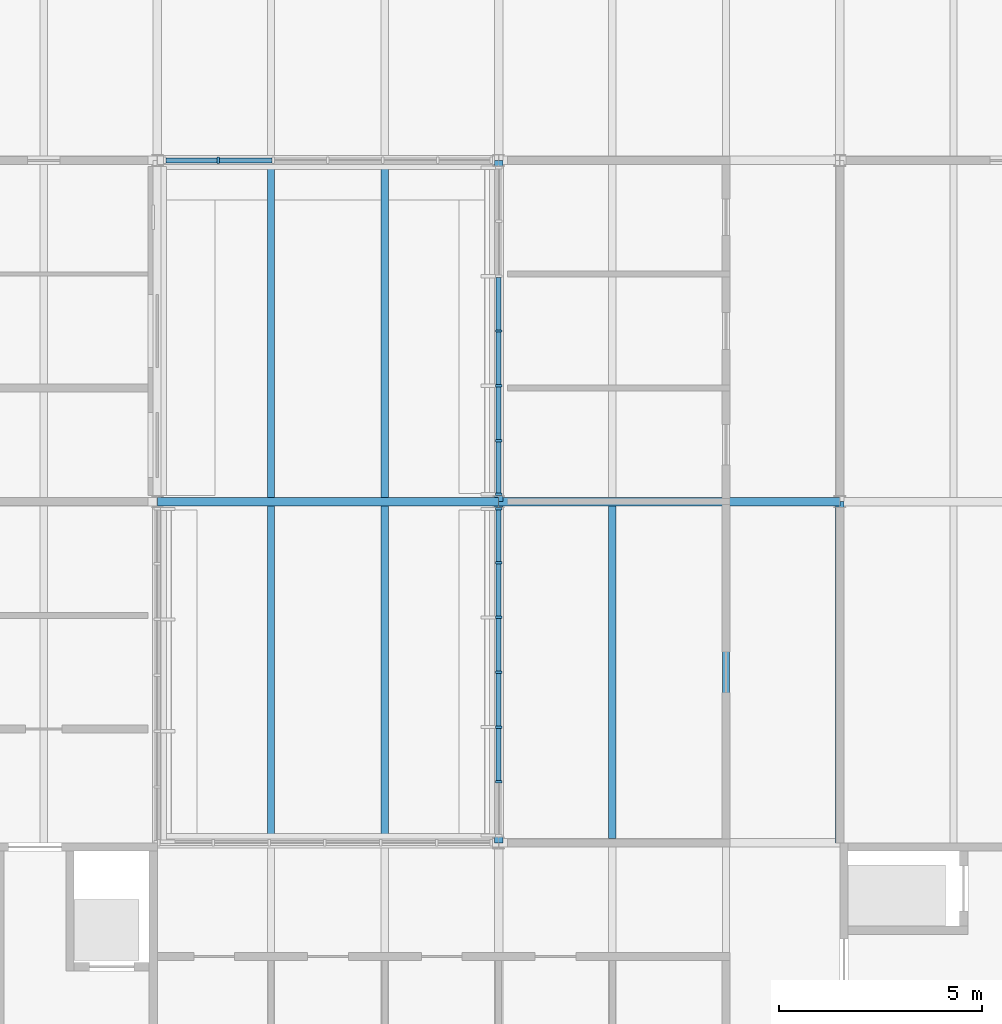
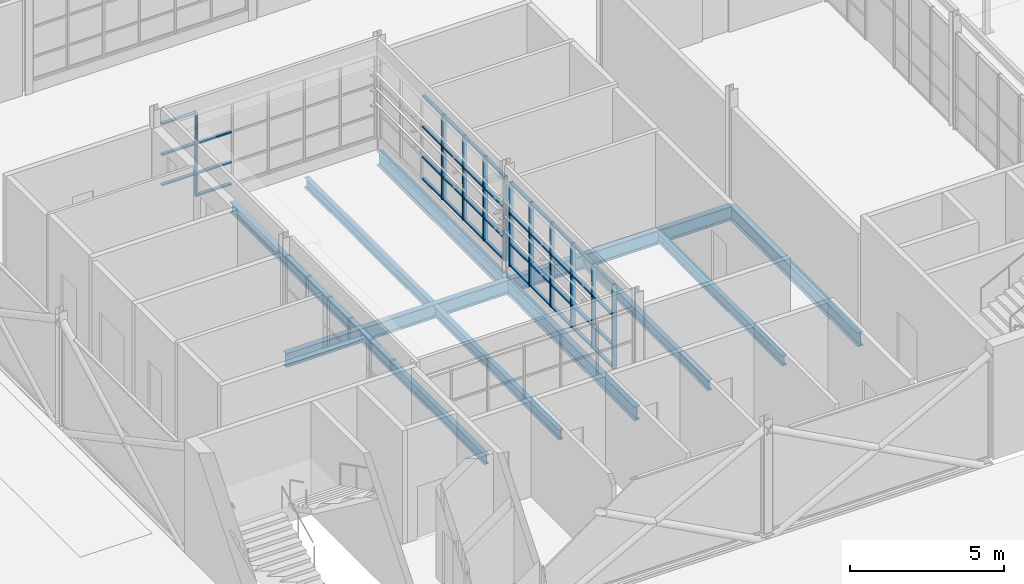
# One storey, part 48 of 116: 53 members, 11 beams, 3 elements without a shape of their own.
"""IFC4 building model written with IfcOpenShell, lengths in metres."""

from ifc_helpers import new_model, si_unit, direction, frame, origin, origin_2d, place, context, subcontext, project, spatial, rectangle, i_section, extrude, material, layer, layer_set, material_profile, profile_set, type_object, element, aggregate, save


model = new_model("IFC4")

# Units and contexts
model_context = context("Model", 3, precision=1e-05, world=origin(), true_north=direction((0.0, 1.0)))
body_context = subcontext(model_context, "Body", "Model", "MODEL_VIEW")
ifc_project = project(units=[si_unit("LENGTHUNIT", "METRE"), si_unit("AREAUNIT", "SQUARE_METRE"), si_unit("VOLUMEUNIT", "CUBIC_METRE"), si_unit("PLANEANGLEUNIT", "RADIAN"), si_unit("MASSUNIT", "GRAM", prefix="KILO")], contexts=[model_context])

# Site, building, storey
site_placement = place(None, origin())
site = spatial("IfcSite", under=ifc_project, at=site_placement, CompositionType="ELEMENT")
building_placement = place(site_placement, origin())
building = spatial("IfcBuilding", under=site, at=building_placement, Name="Ardhachandra Cancer Care Centre", CompositionType="ELEMENT")
storey_placement = place(building_placement, origin())
storey = spatial("IfcBuildingStorey", under=building, at=storey_placement, Name="L00", CompositionType="ELEMENT", Elevation=0.0)

# Beams
ifc_material_1 = material(Name="Steel E350 (IS 2062)", Category="steel")
ifc_material_profile_1 = material_profile(ifc_material_1, i_section(OverallWidth=0.179931640625, OverallDepth=0.39990234375, WebThickness=0.008544921875, FlangeThickness=0.013427734375, FilletRadius=0.02099609375, at=origin_2d()), Name="NPB 400x180x66.30")
ifc_profile_set_1 = profile_set([ifc_material_profile_1], Name="Steel E350 (IS 2062)")
beam_type_1 = type_object("IfcBeamType", Name="Beam NPB 400x180x66.30", PredefinedType="BEAM", material=ifc_profile_set_1)
beam_1_placement = place(storey_placement, frame((122.800048828125, 37.905029296875, -0.35009765625), z_axis=(0.0, 1.0, 0.0), x_axis=(-1.0, 0.0, 0.0)))
element("IfcBeam", 1, at=beam_1_placement, inside=storey, type_object=beam_type_1, Name="Secondary D14-E14@2800", PredefinedType="BEAM", context=body_context, shape_type="SweptSolid", body=[
    extrude(i_section(OverallWidth=0.179931640625, OverallDepth=0.39990234375, WebThickness=0.008544921875, FlangeThickness=0.013427734375, FilletRadius=0.02099609375, at=origin_2d()), origin(), (0.0, 0.0, 1.0), 8.18994140625),
])
beam_2_placement = place(storey_placement, frame((122.800048828125, 46.304931640625, -0.35009765625), z_axis=(0.0, 1.0, 0.0), x_axis=(-1.0, 0.0, 0.0)))
element("IfcBeam", 2, at=beam_2_placement, inside=storey, type_object=beam_type_1, Name="Secondary E14-F14@2800", PredefinedType="BEAM", context=body_context, shape_type="SweptSolid", body=[
    extrude(i_section(OverallWidth=0.179931640625, OverallDepth=0.39990234375, WebThickness=0.008544921875, FlangeThickness=0.013427734375, FilletRadius=0.02099609375, at=origin_2d()), origin(), (0.0, 0.0, 1.0), 8.190185546875),
])
beam_3_placement = place(storey_placement, frame((125.60009765625, 37.905029296875, -0.35009765625), z_axis=(0.0, 1.0, 0.0), x_axis=(-1.0, 0.0, 0.0)))
element("IfcBeam", 3, at=beam_3_placement, inside=storey, type_object=beam_type_1, Name="Secondary D14-E14@5600", PredefinedType="BEAM", context=body_context, shape_type="SweptSolid", body=[
    extrude(i_section(OverallWidth=0.179931640625, OverallDepth=0.39990234375, WebThickness=0.008544921875, FlangeThickness=0.013427734375, FilletRadius=0.02099609375, at=origin_2d()), origin(), (0.0, 0.0, 1.0), 8.18994140625),
])
beam_4_placement = place(storey_placement, frame((125.60009765625, 46.304931640625, -0.35009765625), z_axis=(0.0, 1.0, 0.0), x_axis=(-1.0, 0.0, 0.0)))
element("IfcBeam", 4, at=beam_4_placement, inside=storey, type_object=beam_type_1, Name="Secondary E14-F14@5600", PredefinedType="BEAM", context=body_context, shape_type="SweptSolid", body=[
    extrude(i_section(OverallWidth=0.179931640625, OverallDepth=0.39990234375, WebThickness=0.008544921875, FlangeThickness=0.013427734375, FilletRadius=0.02099609375, at=origin_2d()), origin(), (0.0, 0.0, 1.0), 8.190185546875),
])
for number, where, z_axis, x_axis, name in (
    (5, (131.199951171875, 37.905029296875, -0.35009765625), (0.0, 1.0, 0.0), (-1.0, 0.0, 0.0), "Secondary D15-E15@2800"),
    (6, (134.0, 37.905029296875, -0.35009765625), (0.0, 1.0, 0.0), (-1.0, 0.0, 0.0), "Secondary D15-E15@5600"),
):
    element("IfcBeam", number, at=place(storey_placement, frame(where, z_axis=z_axis, x_axis=x_axis)), inside=storey, type_object=beam_type_1, Name=name, PredefinedType="BEAM", context=body_context, shape_type="SweptSolid", body=[
        extrude(i_section(OverallWidth=0.179931640625, OverallDepth=0.39990234375, WebThickness=0.008544921875, FlangeThickness=0.013427734375, FilletRadius=0.02099609375, at=origin_2d()), origin(), (0.0, 0.0, 1.0), 8.18994140625),
    ])
ifc_material_2 = material(Name="Steel E350 (IS 2062)", Category="steel")
ifc_material_profile_2 = material_profile(ifc_material_2, i_section(OverallWidth=0.2099609375, OverallDepth=0.550048828125, WebThickness=0.010986328125, FlangeThickness=0.01708984375, FilletRadius=0.02392578125, at=origin_2d()), Name="NPB 550x210x105.52")
ifc_profile_set_2 = profile_set([ifc_material_profile_2], Name="Steel E350 (IS 2062)")
beam_type_2 = type_object("IfcBeamType", Name="Beam NPB 550x210x105.52", PredefinedType="BEAM", material=ifc_profile_set_2)
beam_5_placement = place(storey_placement, frame((120.0, 46.199951171875, -0.425048828125), z_axis=(1.0, 0.0, 0.0), x_axis=(0.0, 1.0, 0.0)))
element("IfcBeam", 7, at=beam_5_placement, inside=storey, type_object=beam_type_2, Name="Girder E14-E15", PredefinedType="BEAM", context=body_context, shape_type="SweptSolid", body=[
    extrude(i_section(OverallWidth=0.2099609375, OverallDepth=0.550048828125, WebThickness=0.010986328125, FlangeThickness=0.01708984375, FilletRadius=0.02392578125, at=origin_2d()), origin(), (0.0, 0.0, 1.0), 8.39990234375),
])
beam_6_placement = place(storey_placement, frame((128.39990234375, 46.199951171875, -0.425048828125), z_axis=(1.0, 0.0, 0.0), x_axis=(0.0, 1.0, 0.0)))
element("IfcBeam", 8, at=beam_6_placement, inside=storey, type_object=beam_type_2, Name="Girder E15-E16", PredefinedType="BEAM", context=body_context, shape_type="SweptSolid", body=[
    extrude(i_section(OverallWidth=0.2099609375, OverallDepth=0.550048828125, WebThickness=0.010986328125, FlangeThickness=0.01708984375, FilletRadius=0.02392578125, at=origin_2d()), origin(), (0.0, 0.0, 1.0), 8.400146484375),
])
beam_7_placement = place(storey_placement, frame((128.39990234375, 37.800048828125, -0.425048828125), z_axis=(0.0, 1.0, 0.0), x_axis=(-1.0, 0.0, 0.0)))
element("IfcBeam", 9, at=beam_7_placement, inside=storey, type_object=beam_type_2, Name="Girder D15-E15", PredefinedType="BEAM", context=body_context, shape_type="SweptSolid", body=[
    extrude(i_section(OverallWidth=0.2099609375, OverallDepth=0.550048828125, WebThickness=0.010986328125, FlangeThickness=0.01708984375, FilletRadius=0.02392578125, at=origin_2d()), origin(), (0.0, 0.0, 1.0), 8.39990234375),
])
beam_8_placement = place(storey_placement, frame((128.39990234375, 46.199951171875, -0.425048828125), z_axis=(0.0, 1.0, 0.0), x_axis=(-1.0, 0.0, 0.0)))
element("IfcBeam", 10, at=beam_8_placement, inside=storey, type_object=beam_type_2, Name="Girder E15-F15", PredefinedType="BEAM", context=body_context, shape_type="SweptSolid", body=[
    extrude(i_section(OverallWidth=0.2099609375, OverallDepth=0.550048828125, WebThickness=0.010986328125, FlangeThickness=0.01708984375, FilletRadius=0.02392578125, at=origin_2d()), origin(), (0.0, 0.0, 1.0), 8.400146484375),
])
beam_9_placement = place(storey_placement, frame((136.800048828125, 37.800048828125, -0.425048828125), z_axis=(0.0, 1.0, 0.0), x_axis=(-1.0, 0.0, 0.0)))
element("IfcBeam", 11, at=beam_9_placement, inside=storey, type_object=beam_type_2, Name="Girder D16-E16", PredefinedType="BEAM", context=body_context, shape_type="SweptSolid", body=[
    extrude(i_section(OverallWidth=0.2099609375, OverallDepth=0.550048828125, WebThickness=0.010986328125, FlangeThickness=0.01708984375, FilletRadius=0.02392578125, at=origin_2d()), origin(), (0.0, 0.0, 1.0), 8.39990234375),
])

# Curtain wall, member
ifc_material_3 = material(Name="Aluminium extrusion", Category="aluminium")
ifc_layer = layer(ifc_material_3, 0.14990234375)
ifc_layer_set = layer_set([ifc_layer], Name="Aluminium extrusion")
curtain_wall_type = type_object("IfcCurtainWallType", Name="Curtain wall run", PredefinedType="NOTDEFINED", material=ifc_layer_set)
curtain_wall_1_placement = place(storey_placement, origin())
curtain_wall_1 = element("IfcCurtainWall", 12, at=curtain_wall_1_placement, inside=storey, type_object=curtain_wall_type, Name="Curtain wall L00 s/0120000_0054600", PredefinedType="NOTDEFINED")
ifc_material_4 = material(Name="Aluminium extrusion", Category="aluminium")
ifc_material_profile_3 = material_profile(ifc_material_4, rectangle(XDim=0.159912109375, YDim=0.06005859375, at=origin_2d()), Name="Curtain wall mullion 60 x 160")
ifc_profile_set_3 = profile_set([ifc_material_profile_3], Name="Aluminium extrusion")
member_type_1 = type_object("IfcMemberType", Name="Curtain wall mullion 60 x 160", PredefinedType="MULLION", material=ifc_profile_set_3)
member_1_placement = place(storey_placement, frame((121.5, 54.60009765625, 0.449951171875), z_axis=(0.0, 0.0, 1.0), x_axis=(0.0, 1.0, 0.0)))
member_1 = element("IfcMember", 13, at=member_1_placement, type_object=member_type_1, Name="CW mullion 2", PredefinedType="MULLION", context=body_context, shape_type="SweptSolid", body=[
    extrude(rectangle(XDim=0.159912109375, YDim=0.06005859375, at=origin_2d()), origin(), (0.0, 0.0, 1.0), 3.35009765625),
])

# Curtain wall, members
curtain_wall_2_placement = place(storey_placement, origin())
curtain_wall_2 = element("IfcCurtainWall", 14, at=curtain_wall_2_placement, inside=storey, type_object=curtain_wall_type, Name="Curtain wall L00 w/0128400_0037800", PredefinedType="NOTDEFINED")
member_2_placement = place(storey_placement, frame((128.39990234375, 39.300048828125, 0.449951171875), z_axis=(0.0, 0.0, 1.0), x_axis=(-1.0, 0.0, 0.0)))
member_2 = element("IfcMember", 15, at=member_2_placement, type_object=member_type_1, Name="CW mullion 2", PredefinedType="MULLION", context=body_context, shape_type="SweptSolid", body=[
    extrude(rectangle(XDim=0.159912109375, YDim=0.06005859375, at=origin_2d()), origin(), (0.0, 0.0, 1.0), 3.35009765625),
])
member_3_placement = place(storey_placement, frame((128.39990234375, 40.64990234375, 0.449951171875), z_axis=(0.0, 0.0, 1.0), x_axis=(-1.0, 0.0, 0.0)))
member_3 = element("IfcMember", 16, at=member_3_placement, type_object=member_type_1, Name="CW mullion 3", PredefinedType="MULLION", context=body_context, shape_type="SweptSolid", body=[
    extrude(rectangle(XDim=0.159912109375, YDim=0.06005859375, at=origin_2d()), origin(), (0.0, 0.0, 1.0), 3.35009765625),
])
member_4_placement = place(storey_placement, frame((128.39990234375, 42.0, 0.449951171875), z_axis=(0.0, 0.0, 1.0), x_axis=(-1.0, 0.0, 0.0)))
member_4 = element("IfcMember", 17, at=member_4_placement, type_object=member_type_1, Name="CW mullion 4", PredefinedType="MULLION", context=body_context, shape_type="SweptSolid", body=[
    extrude(rectangle(XDim=0.159912109375, YDim=0.06005859375, at=origin_2d()), origin(), (0.0, 0.0, 1.0), 3.35009765625),
])
member_5_placement = place(storey_placement, frame((128.39990234375, 43.35009765625, 0.449951171875), z_axis=(0.0, 0.0, 1.0), x_axis=(-1.0, 0.0, 0.0)))
member_5 = element("IfcMember", 18, at=member_5_placement, type_object=member_type_1, Name="CW mullion 5", PredefinedType="MULLION", context=body_context, shape_type="SweptSolid", body=[
    extrude(rectangle(XDim=0.159912109375, YDim=0.06005859375, at=origin_2d()), origin(), (0.0, 0.0, 1.0), 3.35009765625),
])
member_6_placement = place(storey_placement, frame((128.39990234375, 44.699951171875, 0.449951171875), z_axis=(0.0, 0.0, 1.0), x_axis=(-1.0, 0.0, 0.0)))
member_6 = element("IfcMember", 19, at=member_6_placement, type_object=member_type_1, Name="CW mullion 6", PredefinedType="MULLION", context=body_context, shape_type="SweptSolid", body=[
    extrude(rectangle(XDim=0.159912109375, YDim=0.06005859375, at=origin_2d()), origin(), (0.0, 0.0, 1.0), 3.35009765625),
])
member_7_placement = place(storey_placement, frame((128.39990234375, 46.02001953125, 0.449951171875), z_axis=(0.0, 0.0, 1.0), x_axis=(-1.0, 0.0, 0.0)))
member_7 = element("IfcMember", 20, at=member_7_placement, type_object=member_type_1, Name="CW mullion 7", PredefinedType="MULLION", context=body_context, shape_type="SweptSolid", body=[
    extrude(rectangle(XDim=0.159912109375, YDim=0.06005859375, at=origin_2d()), origin(), (0.0, 0.0, 1.0), 3.35009765625),
])

curtain_wall_3_placement = place(storey_placement, origin())
curtain_wall_3 = element("IfcCurtainWall", 21, at=curtain_wall_3_placement, inside=storey, type_object=curtain_wall_type, Name="Curtain wall L00 w/0128400_0046200", PredefinedType="NOTDEFINED")
member_8_placement = place(storey_placement, frame((128.39990234375, 46.3798828125, 0.449951171875), z_axis=(0.0, 0.0, 1.0), x_axis=(-1.0, 0.0, 0.0)))
member_8 = element("IfcMember", 22, at=member_8_placement, type_object=member_type_1, Name="CW mullion 1", PredefinedType="MULLION", context=body_context, shape_type="SweptSolid", body=[
    extrude(rectangle(XDim=0.159912109375, YDim=0.06005859375, at=origin_2d()), origin(), (0.0, 0.0, 1.0), 3.35009765625),
])
member_9_placement = place(storey_placement, frame((128.39990234375, 47.699951171875, 0.449951171875), z_axis=(0.0, 0.0, 1.0), x_axis=(-1.0, 0.0, 0.0)))
member_9 = element("IfcMember", 23, at=member_9_placement, type_object=member_type_1, Name="CW mullion 2", PredefinedType="MULLION", context=body_context, shape_type="SweptSolid", body=[
    extrude(rectangle(XDim=0.159912109375, YDim=0.06005859375, at=origin_2d()), origin(), (0.0, 0.0, 1.0), 3.35009765625),
])
member_10_placement = place(storey_placement, frame((128.39990234375, 49.050048828125, 0.449951171875), z_axis=(0.0, 0.0, 1.0), x_axis=(-1.0, 0.0, 0.0)))
member_10 = element("IfcMember", 24, at=member_10_placement, type_object=member_type_1, Name="CW mullion 3", PredefinedType="MULLION", context=body_context, shape_type="SweptSolid", body=[
    extrude(rectangle(XDim=0.159912109375, YDim=0.06005859375, at=origin_2d()), origin(), (0.0, 0.0, 1.0), 3.35009765625),
])
member_11_placement = place(storey_placement, frame((128.39990234375, 50.39990234375, 0.449951171875), z_axis=(0.0, 0.0, 1.0), x_axis=(-1.0, 0.0, 0.0)))
member_11 = element("IfcMember", 25, at=member_11_placement, type_object=member_type_1, Name="CW mullion 4", PredefinedType="MULLION", context=body_context, shape_type="SweptSolid", body=[
    extrude(rectangle(XDim=0.159912109375, YDim=0.06005859375, at=origin_2d()), origin(), (0.0, 0.0, 1.0), 3.35009765625),
])

# Member
ifc_material_5 = material(Name="Aluminium extrusion", Category="aluminium")
ifc_material_profile_4 = material_profile(ifc_material_5, rectangle(XDim=0.1201171875, YDim=0.06005859375, at=origin_2d()), Name="Curtain wall transom 60 x 120")
ifc_profile_set_4 = profile_set([ifc_material_profile_4], Name="Aluminium extrusion")
member_type_2 = type_object("IfcMemberType", Name="Curtain wall transom 60 x 120", PredefinedType="USERDEFINED", material=ifc_profile_set_4)
member_12_placement = place(storey_placement, frame((120.2099609375, 54.60009765625, 1.35009765625), z_axis=(1.0, 0.0, 0.0), x_axis=(0.0, 1.0, 0.0)))
member_12 = element("IfcMember", 26, at=member_12_placement, type_object=member_type_2, Name="CW transom 1.2", ObjectType="TRANSOM", PredefinedType="USERDEFINED", context=body_context, shape_type="SweptSolid", body=[
    extrude(rectangle(XDim=0.1201171875, YDim=0.06005859375, at=origin_2d()), origin(), (0.0, 0.0, 1.0), 1.260009765625),
])

member_13_placement = place(storey_placement, frame((120.2099609375, 54.60009765625, 2.550048828125), z_axis=(1.0, 0.0, 0.0), x_axis=(0.0, 1.0, 0.0)))
member_13 = element("IfcMember", 27, at=member_13_placement, type_object=member_type_2, Name="CW transom 1.3", ObjectType="TRANSOM", PredefinedType="USERDEFINED", context=body_context, shape_type="SweptSolid", body=[
    extrude(rectangle(XDim=0.1201171875, YDim=0.06005859375, at=origin_2d()), origin(), (0.0, 0.0, 1.0), 1.260009765625),
])

member_14_placement = place(storey_placement, frame((120.2099609375, 54.60009765625, 3.77001953125), z_axis=(1.0, 0.0, 0.0), x_axis=(0.0, 1.0, 0.0)))
member_14 = element("IfcMember", 28, at=member_14_placement, type_object=member_type_2, Name="CW transom 1.4", ObjectType="TRANSOM", PredefinedType="USERDEFINED", context=body_context, shape_type="SweptSolid", body=[
    extrude(rectangle(XDim=0.1201171875, YDim=0.06005859375, at=origin_2d()), origin(), (0.0, 0.0, 1.0), 1.260009765625),
])

member_15_placement = place(storey_placement, frame((121.530029296875, 54.60009765625, 0.47998046875), z_axis=(1.0, 0.0, 0.0), x_axis=(0.0, 1.0, 0.0)))
member_15 = element("IfcMember", 29, at=member_15_placement, type_object=member_type_2, Name="CW transom 2.1", ObjectType="TRANSOM", PredefinedType="USERDEFINED", context=body_context, shape_type="SweptSolid", body=[
    extrude(rectangle(XDim=0.1201171875, YDim=0.06005859375, at=origin_2d()), origin(), (0.0, 0.0, 1.0), 1.2900390625),
])

member_16_placement = place(storey_placement, frame((121.530029296875, 54.60009765625, 1.35009765625), z_axis=(1.0, 0.0, 0.0), x_axis=(0.0, 1.0, 0.0)))
member_16 = element("IfcMember", 30, at=member_16_placement, type_object=member_type_2, Name="CW transom 2.2", ObjectType="TRANSOM", PredefinedType="USERDEFINED", context=body_context, shape_type="SweptSolid", body=[
    extrude(rectangle(XDim=0.1201171875, YDim=0.06005859375, at=origin_2d()), origin(), (0.0, 0.0, 1.0), 1.2900390625),
])

member_17_placement = place(storey_placement, frame((121.530029296875, 54.60009765625, 2.550048828125), z_axis=(1.0, 0.0, 0.0), x_axis=(0.0, 1.0, 0.0)))
member_17 = element("IfcMember", 31, at=member_17_placement, type_object=member_type_2, Name="CW transom 2.3", ObjectType="TRANSOM", PredefinedType="USERDEFINED", context=body_context, shape_type="SweptSolid", body=[
    extrude(rectangle(XDim=0.1201171875, YDim=0.06005859375, at=origin_2d()), origin(), (0.0, 0.0, 1.0), 1.2900390625),
])

aggregate(curtain_wall_1, [member_1, member_12, member_13, member_14, member_15, member_16, member_17])

member_18_placement = place(storey_placement, frame((128.39990234375, 39.330078125, 0.47998046875), z_axis=(0.0, 1.0, 0.0), x_axis=(-1.0, 0.0, 0.0)))
member_18 = element("IfcMember", 32, at=member_18_placement, type_object=member_type_2, Name="CW transom 2.1", ObjectType="TRANSOM", PredefinedType="USERDEFINED", context=body_context, shape_type="SweptSolid", body=[
    extrude(rectangle(XDim=0.1201171875, YDim=0.06005859375, at=origin_2d()), origin(), (0.0, 0.0, 1.0), 1.2900390625),
])

member_19_placement = place(storey_placement, frame((128.39990234375, 39.330078125, 1.35009765625), z_axis=(0.0, 1.0, 0.0), x_axis=(-1.0, 0.0, 0.0)))
member_19 = element("IfcMember", 33, at=member_19_placement, type_object=member_type_2, Name="CW transom 2.2", ObjectType="TRANSOM", PredefinedType="USERDEFINED", context=body_context, shape_type="SweptSolid", body=[
    extrude(rectangle(XDim=0.1201171875, YDim=0.06005859375, at=origin_2d()), origin(), (0.0, 0.0, 1.0), 1.2900390625),
])

member_20_placement = place(storey_placement, frame((128.39990234375, 39.330078125, 2.550048828125), z_axis=(0.0, 1.0, 0.0), x_axis=(-1.0, 0.0, 0.0)))
member_20 = element("IfcMember", 34, at=member_20_placement, type_object=member_type_2, Name="CW transom 2.3", ObjectType="TRANSOM", PredefinedType="USERDEFINED", context=body_context, shape_type="SweptSolid", body=[
    extrude(rectangle(XDim=0.1201171875, YDim=0.06005859375, at=origin_2d()), origin(), (0.0, 0.0, 1.0), 1.2900390625),
])

member_21_placement = place(storey_placement, frame((128.39990234375, 39.330078125, 3.77001953125), z_axis=(0.0, 1.0, 0.0), x_axis=(-1.0, 0.0, 0.0)))
member_21 = element("IfcMember", 35, at=member_21_placement, type_object=member_type_2, Name="CW transom 2.4", ObjectType="TRANSOM", PredefinedType="USERDEFINED", context=body_context, shape_type="SweptSolid", body=[
    extrude(rectangle(XDim=0.1201171875, YDim=0.06005859375, at=origin_2d()), origin(), (0.0, 0.0, 1.0), 1.2900390625),
])

member_22_placement = place(storey_placement, frame((128.39990234375, 40.679931640625, 0.47998046875), z_axis=(0.0, 1.0, 0.0), x_axis=(-1.0, 0.0, 0.0)))
member_22 = element("IfcMember", 36, at=member_22_placement, type_object=member_type_2, Name="CW transom 3.1", ObjectType="TRANSOM", PredefinedType="USERDEFINED", context=body_context, shape_type="SweptSolid", body=[
    extrude(rectangle(XDim=0.1201171875, YDim=0.06005859375, at=origin_2d()), origin(), (0.0, 0.0, 1.0), 1.2900390625),
])

member_23_placement = place(storey_placement, frame((128.39990234375, 40.679931640625, 1.35009765625), z_axis=(0.0, 1.0, 0.0), x_axis=(-1.0, 0.0, 0.0)))
member_23 = element("IfcMember", 37, at=member_23_placement, type_object=member_type_2, Name="CW transom 3.2", ObjectType="TRANSOM", PredefinedType="USERDEFINED", context=body_context, shape_type="SweptSolid", body=[
    extrude(rectangle(XDim=0.1201171875, YDim=0.06005859375, at=origin_2d()), origin(), (0.0, 0.0, 1.0), 1.2900390625),
])

member_24_placement = place(storey_placement, frame((128.39990234375, 40.679931640625, 2.550048828125), z_axis=(0.0, 1.0, 0.0), x_axis=(-1.0, 0.0, 0.0)))
member_24 = element("IfcMember", 38, at=member_24_placement, type_object=member_type_2, Name="CW transom 3.3", ObjectType="TRANSOM", PredefinedType="USERDEFINED", context=body_context, shape_type="SweptSolid", body=[
    extrude(rectangle(XDim=0.1201171875, YDim=0.06005859375, at=origin_2d()), origin(), (0.0, 0.0, 1.0), 1.2900390625),
])

member_25_placement = place(storey_placement, frame((128.39990234375, 40.679931640625, 3.77001953125), z_axis=(0.0, 1.0, 0.0), x_axis=(-1.0, 0.0, 0.0)))
member_25 = element("IfcMember", 39, at=member_25_placement, type_object=member_type_2, Name="CW transom 3.4", ObjectType="TRANSOM", PredefinedType="USERDEFINED", context=body_context, shape_type="SweptSolid", body=[
    extrude(rectangle(XDim=0.1201171875, YDim=0.06005859375, at=origin_2d()), origin(), (0.0, 0.0, 1.0), 1.2900390625),
])

member_26_placement = place(storey_placement, frame((128.39990234375, 42.030029296875, 0.47998046875), z_axis=(0.0, 1.0, 0.0), x_axis=(-1.0, 0.0, 0.0)))
member_26 = element("IfcMember", 40, at=member_26_placement, type_object=member_type_2, Name="CW transom 4.1", ObjectType="TRANSOM", PredefinedType="USERDEFINED", context=body_context, shape_type="SweptSolid", body=[
    extrude(rectangle(XDim=0.1201171875, YDim=0.06005859375, at=origin_2d()), origin(), (0.0, 0.0, 1.0), 1.2900390625),
])

member_27_placement = place(storey_placement, frame((128.39990234375, 42.030029296875, 1.35009765625), z_axis=(0.0, 1.0, 0.0), x_axis=(-1.0, 0.0, 0.0)))
member_27 = element("IfcMember", 41, at=member_27_placement, type_object=member_type_2, Name="CW transom 4.2", ObjectType="TRANSOM", PredefinedType="USERDEFINED", context=body_context, shape_type="SweptSolid", body=[
    extrude(rectangle(XDim=0.1201171875, YDim=0.06005859375, at=origin_2d()), origin(), (0.0, 0.0, 1.0), 1.2900390625),
])

member_28_placement = place(storey_placement, frame((128.39990234375, 42.030029296875, 2.550048828125), z_axis=(0.0, 1.0, 0.0), x_axis=(-1.0, 0.0, 0.0)))
member_28 = element("IfcMember", 42, at=member_28_placement, type_object=member_type_2, Name="CW transom 4.3", ObjectType="TRANSOM", PredefinedType="USERDEFINED", context=body_context, shape_type="SweptSolid", body=[
    extrude(rectangle(XDim=0.1201171875, YDim=0.06005859375, at=origin_2d()), origin(), (0.0, 0.0, 1.0), 1.2900390625),
])

member_29_placement = place(storey_placement, frame((128.39990234375, 42.030029296875, 3.77001953125), z_axis=(0.0, 1.0, 0.0), x_axis=(-1.0, 0.0, 0.0)))
member_29 = element("IfcMember", 43, at=member_29_placement, type_object=member_type_2, Name="CW transom 4.4", ObjectType="TRANSOM", PredefinedType="USERDEFINED", context=body_context, shape_type="SweptSolid", body=[
    extrude(rectangle(XDim=0.1201171875, YDim=0.06005859375, at=origin_2d()), origin(), (0.0, 0.0, 1.0), 1.2900390625),
])

member_30_placement = place(storey_placement, frame((128.39990234375, 43.3798828125, 0.47998046875), z_axis=(0.0, 1.0, 0.0), x_axis=(-1.0, 0.0, 0.0)))
member_30 = element("IfcMember", 44, at=member_30_placement, type_object=member_type_2, Name="CW transom 5.1", ObjectType="TRANSOM", PredefinedType="USERDEFINED", context=body_context, shape_type="SweptSolid", body=[
    extrude(rectangle(XDim=0.1201171875, YDim=0.06005859375, at=origin_2d()), origin(), (0.0, 0.0, 1.0), 1.2900390625),
])

member_31_placement = place(storey_placement, frame((128.39990234375, 43.3798828125, 1.35009765625), z_axis=(0.0, 1.0, 0.0), x_axis=(-1.0, 0.0, 0.0)))
member_31 = element("IfcMember", 45, at=member_31_placement, type_object=member_type_2, Name="CW transom 5.2", ObjectType="TRANSOM", PredefinedType="USERDEFINED", context=body_context, shape_type="SweptSolid", body=[
    extrude(rectangle(XDim=0.1201171875, YDim=0.06005859375, at=origin_2d()), origin(), (0.0, 0.0, 1.0), 1.2900390625),
])

member_32_placement = place(storey_placement, frame((128.39990234375, 43.3798828125, 2.550048828125), z_axis=(0.0, 1.0, 0.0), x_axis=(-1.0, 0.0, 0.0)))
member_32 = element("IfcMember", 46, at=member_32_placement, type_object=member_type_2, Name="CW transom 5.3", ObjectType="TRANSOM", PredefinedType="USERDEFINED", context=body_context, shape_type="SweptSolid", body=[
    extrude(rectangle(XDim=0.1201171875, YDim=0.06005859375, at=origin_2d()), origin(), (0.0, 0.0, 1.0), 1.2900390625),
])

member_33_placement = place(storey_placement, frame((128.39990234375, 43.3798828125, 3.77001953125), z_axis=(0.0, 1.0, 0.0), x_axis=(-1.0, 0.0, 0.0)))
member_33 = element("IfcMember", 47, at=member_33_placement, type_object=member_type_2, Name="CW transom 5.4", ObjectType="TRANSOM", PredefinedType="USERDEFINED", context=body_context, shape_type="SweptSolid", body=[
    extrude(rectangle(XDim=0.1201171875, YDim=0.06005859375, at=origin_2d()), origin(), (0.0, 0.0, 1.0), 1.2900390625),
])

member_34_placement = place(storey_placement, frame((128.39990234375, 44.72998046875, 0.47998046875), z_axis=(0.0, 1.0, 0.0), x_axis=(-1.0, 0.0, 0.0)))
member_34 = element("IfcMember", 48, at=member_34_placement, type_object=member_type_2, Name="CW transom 6.1", ObjectType="TRANSOM", PredefinedType="USERDEFINED", context=body_context, shape_type="SweptSolid", body=[
    extrude(rectangle(XDim=0.1201171875, YDim=0.06005859375, at=origin_2d()), origin(), (0.0, 0.0, 1.0), 1.260009765625),
])

member_35_placement = place(storey_placement, frame((128.39990234375, 44.72998046875, 1.35009765625), z_axis=(0.0, 1.0, 0.0), x_axis=(-1.0, 0.0, 0.0)))
member_35 = element("IfcMember", 49, at=member_35_placement, type_object=member_type_2, Name="CW transom 6.2", ObjectType="TRANSOM", PredefinedType="USERDEFINED", context=body_context, shape_type="SweptSolid", body=[
    extrude(rectangle(XDim=0.1201171875, YDim=0.06005859375, at=origin_2d()), origin(), (0.0, 0.0, 1.0), 1.260009765625),
])

member_36_placement = place(storey_placement, frame((128.39990234375, 44.72998046875, 2.550048828125), z_axis=(0.0, 1.0, 0.0), x_axis=(-1.0, 0.0, 0.0)))
member_36 = element("IfcMember", 50, at=member_36_placement, type_object=member_type_2, Name="CW transom 6.3", ObjectType="TRANSOM", PredefinedType="USERDEFINED", context=body_context, shape_type="SweptSolid", body=[
    extrude(rectangle(XDim=0.1201171875, YDim=0.06005859375, at=origin_2d()), origin(), (0.0, 0.0, 1.0), 1.260009765625),
])

member_37_placement = place(storey_placement, frame((128.39990234375, 44.72998046875, 3.77001953125), z_axis=(0.0, 1.0, 0.0), x_axis=(-1.0, 0.0, 0.0)))
member_37 = element("IfcMember", 51, at=member_37_placement, type_object=member_type_2, Name="CW transom 6.4", ObjectType="TRANSOM", PredefinedType="USERDEFINED", context=body_context, shape_type="SweptSolid", body=[
    extrude(rectangle(XDim=0.1201171875, YDim=0.06005859375, at=origin_2d()), origin(), (0.0, 0.0, 1.0), 1.260009765625),
])

aggregate(curtain_wall_2, [member_2, member_3, member_4, member_5, member_6, member_7, member_18, member_19, member_20, member_21, member_22, member_23, member_24, member_25, member_26, member_27, member_28, member_29, member_30, member_31, member_32, member_33, member_34, member_35, member_36, member_37])

member_38_placement = place(storey_placement, frame((128.39990234375, 46.409912109375, 0.47998046875), z_axis=(0.0, 1.0, 0.0), x_axis=(-1.0, 0.0, 0.0)))
member_38 = element("IfcMember", 52, at=member_38_placement, type_object=member_type_2, Name="CW transom 1.1", ObjectType="TRANSOM", PredefinedType="USERDEFINED", context=body_context, shape_type="SweptSolid", body=[
    extrude(rectangle(XDim=0.1201171875, YDim=0.06005859375, at=origin_2d()), origin(), (0.0, 0.0, 1.0), 1.260009765625),
])

member_39_placement = place(storey_placement, frame((128.39990234375, 46.409912109375, 1.35009765625), z_axis=(0.0, 1.0, 0.0), x_axis=(-1.0, 0.0, 0.0)))
member_39 = element("IfcMember", 53, at=member_39_placement, type_object=member_type_2, Name="CW transom 1.2", ObjectType="TRANSOM", PredefinedType="USERDEFINED", context=body_context, shape_type="SweptSolid", body=[
    extrude(rectangle(XDim=0.1201171875, YDim=0.06005859375, at=origin_2d()), origin(), (0.0, 0.0, 1.0), 1.260009765625),
])

member_40_placement = place(storey_placement, frame((128.39990234375, 46.409912109375, 2.550048828125), z_axis=(0.0, 1.0, 0.0), x_axis=(-1.0, 0.0, 0.0)))
member_40 = element("IfcMember", 54, at=member_40_placement, type_object=member_type_2, Name="CW transom 1.3", ObjectType="TRANSOM", PredefinedType="USERDEFINED", context=body_context, shape_type="SweptSolid", body=[
    extrude(rectangle(XDim=0.1201171875, YDim=0.06005859375, at=origin_2d()), origin(), (0.0, 0.0, 1.0), 1.260009765625),
])

member_41_placement = place(storey_placement, frame((128.39990234375, 46.409912109375, 3.77001953125), z_axis=(0.0, 1.0, 0.0), x_axis=(-1.0, 0.0, 0.0)))
member_41 = element("IfcMember", 55, at=member_41_placement, type_object=member_type_2, Name="CW transom 1.4", ObjectType="TRANSOM", PredefinedType="USERDEFINED", context=body_context, shape_type="SweptSolid", body=[
    extrude(rectangle(XDim=0.1201171875, YDim=0.06005859375, at=origin_2d()), origin(), (0.0, 0.0, 1.0), 1.260009765625),
])

member_42_placement = place(storey_placement, frame((128.39990234375, 47.72998046875, 0.47998046875), z_axis=(0.0, 1.0, 0.0), x_axis=(-1.0, 0.0, 0.0)))
member_42 = element("IfcMember", 56, at=member_42_placement, type_object=member_type_2, Name="CW transom 2.1", ObjectType="TRANSOM", PredefinedType="USERDEFINED", context=body_context, shape_type="SweptSolid", body=[
    extrude(rectangle(XDim=0.1201171875, YDim=0.06005859375, at=origin_2d()), origin(), (0.0, 0.0, 1.0), 1.2900390625),
])

member_43_placement = place(storey_placement, frame((128.39990234375, 47.72998046875, 1.35009765625), z_axis=(0.0, 1.0, 0.0), x_axis=(-1.0, 0.0, 0.0)))
member_43 = element("IfcMember", 57, at=member_43_placement, type_object=member_type_2, Name="CW transom 2.2", ObjectType="TRANSOM", PredefinedType="USERDEFINED", context=body_context, shape_type="SweptSolid", body=[
    extrude(rectangle(XDim=0.1201171875, YDim=0.06005859375, at=origin_2d()), origin(), (0.0, 0.0, 1.0), 1.2900390625),
])

member_44_placement = place(storey_placement, frame((128.39990234375, 47.72998046875, 2.550048828125), z_axis=(0.0, 1.0, 0.0), x_axis=(-1.0, 0.0, 0.0)))
member_44 = element("IfcMember", 58, at=member_44_placement, type_object=member_type_2, Name="CW transom 2.3", ObjectType="TRANSOM", PredefinedType="USERDEFINED", context=body_context, shape_type="SweptSolid", body=[
    extrude(rectangle(XDim=0.1201171875, YDim=0.06005859375, at=origin_2d()), origin(), (0.0, 0.0, 1.0), 1.2900390625),
])

member_45_placement = place(storey_placement, frame((128.39990234375, 47.72998046875, 3.77001953125), z_axis=(0.0, 1.0, 0.0), x_axis=(-1.0, 0.0, 0.0)))
member_45 = element("IfcMember", 59, at=member_45_placement, type_object=member_type_2, Name="CW transom 2.4", ObjectType="TRANSOM", PredefinedType="USERDEFINED", context=body_context, shape_type="SweptSolid", body=[
    extrude(rectangle(XDim=0.1201171875, YDim=0.06005859375, at=origin_2d()), origin(), (0.0, 0.0, 1.0), 1.2900390625),
])

member_46_placement = place(storey_placement, frame((128.39990234375, 49.080078125, 0.47998046875), z_axis=(0.0, 1.0, 0.0), x_axis=(-1.0, 0.0, 0.0)))
member_46 = element("IfcMember", 60, at=member_46_placement, type_object=member_type_2, Name="CW transom 3.1", ObjectType="TRANSOM", PredefinedType="USERDEFINED", context=body_context, shape_type="SweptSolid", body=[
    extrude(rectangle(XDim=0.1201171875, YDim=0.06005859375, at=origin_2d()), origin(), (0.0, 0.0, 1.0), 1.2900390625),
])

member_47_placement = place(storey_placement, frame((128.39990234375, 49.080078125, 1.35009765625), z_axis=(0.0, 1.0, 0.0), x_axis=(-1.0, 0.0, 0.0)))
member_47 = element("IfcMember", 61, at=member_47_placement, type_object=member_type_2, Name="CW transom 3.2", ObjectType="TRANSOM", PredefinedType="USERDEFINED", context=body_context, shape_type="SweptSolid", body=[
    extrude(rectangle(XDim=0.1201171875, YDim=0.06005859375, at=origin_2d()), origin(), (0.0, 0.0, 1.0), 1.2900390625),
])

member_48_placement = place(storey_placement, frame((128.39990234375, 49.080078125, 2.550048828125), z_axis=(0.0, 1.0, 0.0), x_axis=(-1.0, 0.0, 0.0)))
member_48 = element("IfcMember", 62, at=member_48_placement, type_object=member_type_2, Name="CW transom 3.3", ObjectType="TRANSOM", PredefinedType="USERDEFINED", context=body_context, shape_type="SweptSolid", body=[
    extrude(rectangle(XDim=0.1201171875, YDim=0.06005859375, at=origin_2d()), origin(), (0.0, 0.0, 1.0), 1.2900390625),
])

member_49_placement = place(storey_placement, frame((128.39990234375, 49.080078125, 3.77001953125), z_axis=(0.0, 1.0, 0.0), x_axis=(-1.0, 0.0, 0.0)))
member_49 = element("IfcMember", 63, at=member_49_placement, type_object=member_type_2, Name="CW transom 3.4", ObjectType="TRANSOM", PredefinedType="USERDEFINED", context=body_context, shape_type="SweptSolid", body=[
    extrude(rectangle(XDim=0.1201171875, YDim=0.06005859375, at=origin_2d()), origin(), (0.0, 0.0, 1.0), 1.2900390625),
])

member_50_placement = place(storey_placement, frame((128.39990234375, 50.429931640625, 0.47998046875), z_axis=(0.0, 1.0, 0.0), x_axis=(-1.0, 0.0, 0.0)))
member_50 = element("IfcMember", 64, at=member_50_placement, type_object=member_type_2, Name="CW transom 4.1", ObjectType="TRANSOM", PredefinedType="USERDEFINED", context=body_context, shape_type="SweptSolid", body=[
    extrude(rectangle(XDim=0.1201171875, YDim=0.06005859375, at=origin_2d()), origin(), (0.0, 0.0, 1.0), 1.2900390625),
])

member_51_placement = place(storey_placement, frame((128.39990234375, 50.429931640625, 1.35009765625), z_axis=(0.0, 1.0, 0.0), x_axis=(-1.0, 0.0, 0.0)))
member_51 = element("IfcMember", 65, at=member_51_placement, type_object=member_type_2, Name="CW transom 4.2", ObjectType="TRANSOM", PredefinedType="USERDEFINED", context=body_context, shape_type="SweptSolid", body=[
    extrude(rectangle(XDim=0.1201171875, YDim=0.06005859375, at=origin_2d()), origin(), (0.0, 0.0, 1.0), 1.2900390625),
])

member_52_placement = place(storey_placement, frame((128.39990234375, 50.429931640625, 2.550048828125), z_axis=(0.0, 1.0, 0.0), x_axis=(-1.0, 0.0, 0.0)))
member_52 = element("IfcMember", 66, at=member_52_placement, type_object=member_type_2, Name="CW transom 4.3", ObjectType="TRANSOM", PredefinedType="USERDEFINED", context=body_context, shape_type="SweptSolid", body=[
    extrude(rectangle(XDim=0.1201171875, YDim=0.06005859375, at=origin_2d()), origin(), (0.0, 0.0, 1.0), 1.2900390625),
])

member_53_placement = place(storey_placement, frame((128.39990234375, 50.429931640625, 3.77001953125), z_axis=(0.0, 1.0, 0.0), x_axis=(-1.0, 0.0, 0.0)))
member_53 = element("IfcMember", 67, at=member_53_placement, type_object=member_type_2, Name="CW transom 4.4", ObjectType="TRANSOM", PredefinedType="USERDEFINED", context=body_context, shape_type="SweptSolid", body=[
    extrude(rectangle(XDim=0.1201171875, YDim=0.06005859375, at=origin_2d()), origin(), (0.0, 0.0, 1.0), 1.2900390625),
])

aggregate(curtain_wall_3, [member_8, member_9, member_10, member_11, member_38, member_39, member_40, member_41, member_42, member_43, member_44, member_45, member_46, member_47, member_48, member_49, member_50, member_51, member_52, member_53])

save(model, "model.ifc")
